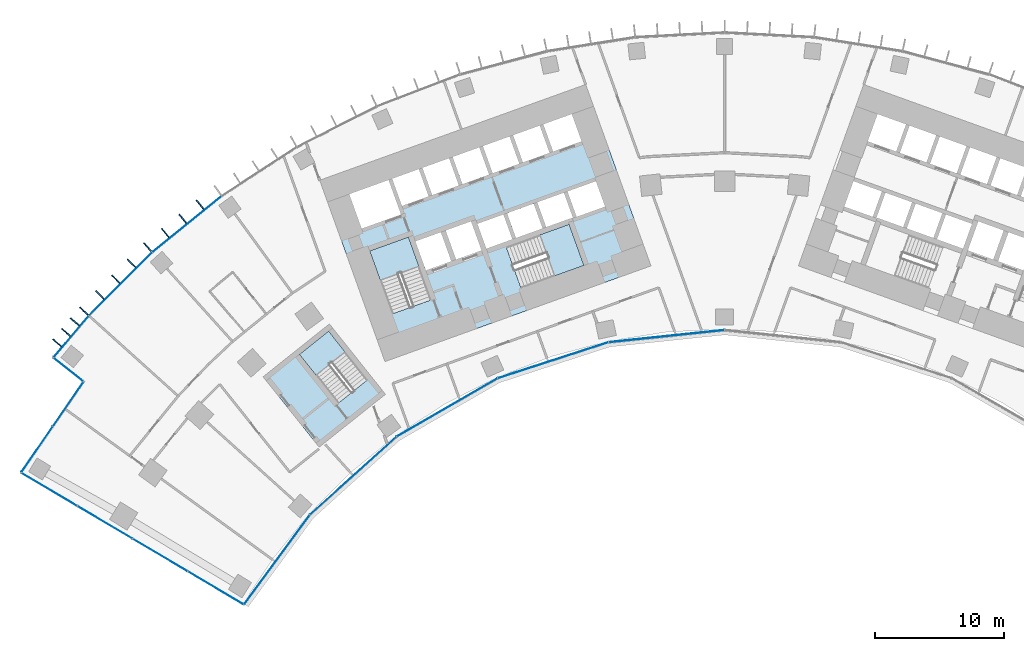
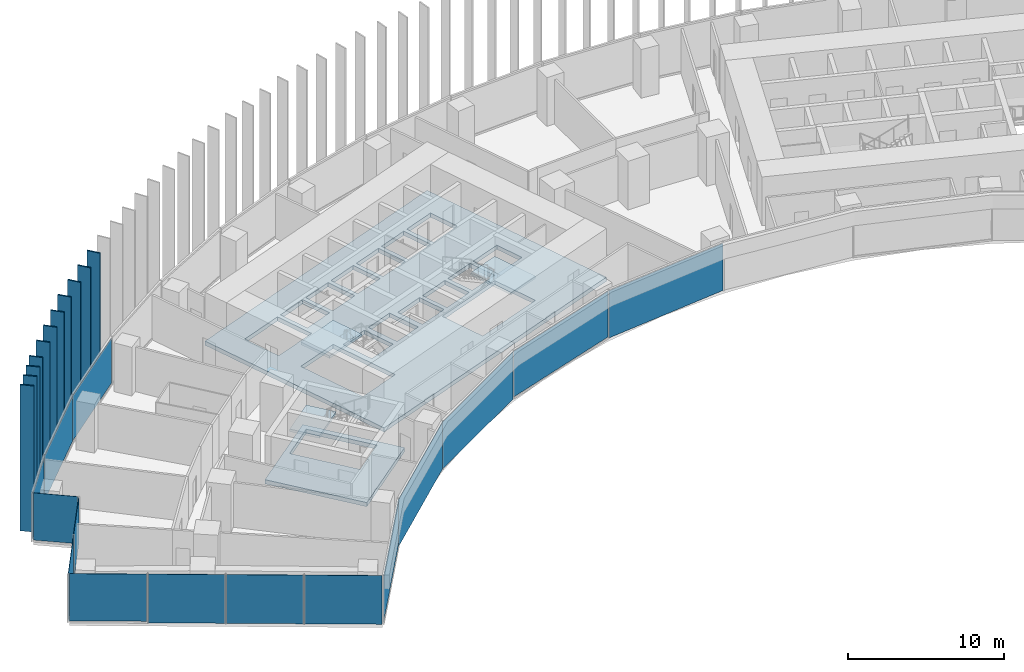
# One storey, part 14 of 24: 26 plates, 5 slabs, 8 elements without a shape of their own.
"""IFC4 building model written with IfcOpenShell, lengths in metres."""

from ifc_helpers import new_model, si_unit, direction, frame, origin, origin_2d, place, context, subcontext, project, spatial, polyline, rectangle, outline, extrude, material, layer, layer_set, type_object, element, aggregate, save


model = new_model("IFC4")

# Units and contexts
model_context = context("Model", 3, precision=1e-05, world=origin(), true_north=direction((0.0, 1.0)))
body_context = subcontext(model_context, "Body", "Model", "MODEL_VIEW")
ifc_project = project(units=[si_unit("LENGTHUNIT", "METRE"), si_unit("AREAUNIT", "SQUARE_METRE"), si_unit("VOLUMEUNIT", "CUBIC_METRE"), si_unit("PLANEANGLEUNIT", "RADIAN"), si_unit("MASSUNIT", "GRAM", prefix="KILO")], contexts=[model_context])

# Site, building, storey
site_placement = place(None, origin())
site = spatial("IfcSite", under=ifc_project, at=site_placement, CompositionType="ELEMENT")
building_placement = place(site_placement, origin())
building = spatial("IfcBuilding", under=site, at=building_placement, Name="Stone Belt Terrace Tower", CompositionType="ELEMENT")
storey_placement = place(building_placement, frame((0.0, 0.0, 64.199951171875)))
storey = spatial("IfcBuildingStorey", under=building, at=storey_placement, Name="L15", CompositionType="ELEMENT", Elevation=64.199951171875)

# Curtain wall, plates
ifc_material_1 = material(Name="Aluminium 6063-T6 anodised frame", Category="aluminium")
ifc_layer_1 = layer(ifc_material_1, 0.14990234375)
ifc_layer_set_1 = layer_set([ifc_layer_1], Name="CW-A unitised convex-face curtain wall")
curtain_wall_type_1 = type_object("IfcCurtainWallType", Name="CW-A unitised convex-face curtain wall", PredefinedType="NOTDEFINED", material=ifc_layer_set_1)
curtain_wall_1_placement = place(storey_placement, origin())
curtain_wall_1 = element("IfcCurtainWall", 1, at=curtain_wall_1_placement, inside=storey, type_object=curtain_wall_type_1, Name="CW-A convex face L15", PredefinedType="NOTDEFINED")
ifc_material_2 = material(Name="Clear double glazed unit")
ifc_layer_2 = layer(ifc_material_2, 0.031982421875)
ifc_layer_set_2 = layer_set([ifc_layer_2], Name="CW-A glass panel 32")
plate_type_1 = type_object("IfcPlateType", Name="CW-A glass panel 32", PredefinedType="CURTAIN_PANEL", material=ifc_layer_set_2)
plate_1_placement = place(storey_placement, frame((-41.839599609375, 51.667724609375, 0.14013671875), z_axis=(0.0, 0.0, 1.0), x_axis=(-0.777145961457, -0.62932039105, 0.0)))
plate_1 = element("IfcPlate", 2, at=plate_1_placement, type_object=plate_type_1, Name="CW-A panel 15.1", PredefinedType="CURTAIN_PANEL", context=body_context, shape_type="SweptSolid", body=[
    extrude(rectangle(XDim=6.90087890625, YDim=0.031982421875, at=origin_2d()), origin(), (0.0, 0.0, 1.0), 3.52001953125),
])
plate_2_placement = place(storey_placement, frame((-47.01123046875, 47.01123046875, 0.14013671875), z_axis=(0.0, 0.0, 1.0), x_axis=(-0.707106781187, -0.707106781187, 0.0)))
plate_2 = element("IfcPlate", 3, at=plate_2_placement, type_object=plate_type_1, Name="CW-A panel 16.1", PredefinedType="CURTAIN_PANEL", context=body_context, shape_type="SweptSolid", body=[
    extrude(rectangle(XDim=6.90087890625, YDim=0.031982421875, at=origin_2d()), origin(), (0.0, 0.0, 1.0), 3.52001953125),
])
plate_3_placement = place(storey_placement, frame((-50.84423828125, 42.92626953125, 0.14013671875), z_axis=(0.0, 0.0, 1.0), x_axis=(-0.645291395384, -0.763936525533, 0.0)))
plate_3 = element("IfcPlate", 4, at=plate_3_placement, type_object=plate_type_1, Name="CW-A panel 17.1", PredefinedType="CURTAIN_PANEL", context=body_context, shape_type="SweptSolid", body=[
    extrude(rectangle(XDim=4.17919921875, YDim=0.031982421875, at=origin_2d()), origin(), (0.0, 0.0, 1.0), 3.52001953125),
])
aggregate(curtain_wall_1, [plate_1, plate_2, plate_3])

ifc_layer_3 = layer(ifc_material_1, 0.14990234375)
ifc_layer_set_3 = layer_set([ifc_layer_3], Name="CW-B unitised concave-face curtain wall")
curtain_wall_type_2 = type_object("IfcCurtainWallType", Name="CW-B unitised concave-face curtain wall", PredefinedType="NOTDEFINED", material=ifc_layer_set_3)
curtain_wall_2_placement = place(storey_placement, origin())
curtain_wall_2 = element("IfcCurtainWall", 5, at=curtain_wall_2_placement, inside=storey, type_object=curtain_wall_type_2, Name="CW-B concave face L15", PredefinedType="NOTDEFINED")
ifc_layer_4 = layer(ifc_material_2, 0.030029296875)
ifc_layer_set_4 = layer_set([ifc_layer_4], Name="CW-B glass panel 30")
plate_type_2 = type_object("IfcPlateType", Name="CW-B glass panel 30", PredefinedType="CURTAIN_PANEL", material=ifc_layer_set_4)
plate_4_placement = place(storey_placement, frame((-34.831787109375, 25.57177734375, 0.1201171875), z_axis=(0.0, 0.0, 1.0), x_axis=(0.592159017675, 0.805821132626, 0.0)))
plate_4 = element("IfcPlate", 6, at=plate_4_placement, type_object=plate_type_2, Name="CW-B panel 1.1", PredefinedType="CURTAIN_PANEL", context=body_context, shape_type="SweptSolid", body=[
    extrude(rectangle(XDim=8.583984375, YDim=0.030029296875, at=origin_2d()), origin(), (0.0, 0.0, 1.0), 3.56005859375),
])
plate_5_placement = place(storey_placement, frame((-28.897705078125, 32.09375, 0.0), z_axis=(0.0, 0.0, 1.0), x_axis=(0.743144825477, 0.669130606359, 0.0)))
plate_5 = element("IfcPlate", 7, at=plate_5_placement, type_object=plate_type_2, Name="CW-B panel 2.1", PredefinedType="CURTAIN_PANEL", context=body_context, shape_type="SweptSolid", body=[
    extrude(rectangle(XDim=9.01318359375, YDim=0.030029296875, at=origin_2d()), origin(), (0.0, 0.0, 1.0), 3.679931640625),
])
plate_6_placement = place(storey_placement, frame((-21.59326171875, 37.40087890625, 0.0), z_axis=(0.0, 0.0, 1.0), x_axis=(0.866025403784, 0.5, 0.0)))
plate_6 = element("IfcPlate", 8, at=plate_6_placement, type_object=plate_type_2, Name="CW-B panel 3.1", PredefinedType="CURTAIN_PANEL", context=body_context, shape_type="SweptSolid", body=[
    extrude(rectangle(XDim=9.0126953125, YDim=0.030029296875, at=origin_2d()), origin(), (0.0, 0.0, 1.0), 3.679931640625),
])
plate_7_placement = place(storey_placement, frame((-13.345458984375, 41.072998046875, 0.1201171875), z_axis=(0.0, 0.0, 1.0), x_axis=(0.951056516295, 0.309016994375, 0.0)))
plate_7 = element("IfcPlate", 9, at=plate_7_placement, type_object=plate_type_2, Name="CW-B panel 4.1", PredefinedType="CURTAIN_PANEL", context=body_context, shape_type="SweptSolid", body=[
    extrude(rectangle(XDim=9.0126953125, YDim=0.030029296875, at=origin_2d()), origin(), (0.0, 0.0, 1.0), 3.56005859375),
])
plate_8_placement = place(storey_placement, frame((-4.51416015625, 42.9501953125, 0.0), z_axis=(0.0, 0.0, 1.0), x_axis=(0.994521895368, 0.104528463268, 0.0)))
plate_8 = element("IfcPlate", 10, at=plate_8_placement, type_object=plate_type_2, Name="CW-B panel 5.1", PredefinedType="CURTAIN_PANEL", context=body_context, shape_type="SweptSolid", body=[
    extrude(rectangle(XDim=9.0126953125, YDim=0.030029296875, at=origin_2d()), origin(), (0.0, 0.0, 1.0), 3.679931640625),
])
aggregate(curtain_wall_2, [plate_4, plate_5, plate_6, plate_7, plate_8])

# Curtain wall, plate
ifc_layer_5 = layer(ifc_material_1, 0.14990234375)
ifc_layer_set_5 = layer_set([ifc_layer_5], Name="CW-C stick curtain wall, horn ends and notches")
curtain_wall_type_3 = type_object("IfcCurtainWallType", Name="CW-C stick curtain wall, horn ends and notches", PredefinedType="NOTDEFINED", material=ifc_layer_set_5)
curtain_wall_3_placement = place(storey_placement, origin())
curtain_wall_3 = element("IfcCurtainWall", 11, at=curtain_wall_3_placement, inside=storey, type_object=curtain_wall_type_3, Name="CW-C notch face L15", PredefinedType="NOTDEFINED")
ifc_layer_6 = layer(ifc_material_2, 0.028076171875)
ifc_layer_set_6 = layer_set([ifc_layer_6], Name="CW-C glass panel 28")
plate_type_3 = type_object("IfcPlateType", Name="CW-C glass panel 28", PredefinedType="CURTAIN_PANEL", material=ifc_layer_set_6)
plate_9_placement = place(storey_placement, frame((-51.061279296875, 40.3388671875, 0.1201171875), z_axis=(0.0, 0.0, 1.0), x_axis=(0.783963828584, -0.620806504051, 0.0)))
plate_9 = element("IfcPlate", 12, at=plate_9_placement, type_object=plate_type_3, Name="CW-C panel 1.1", PredefinedType="CURTAIN_PANEL", context=body_context, shape_type="SweptSolid", body=[
    extrude(rectangle(XDim=2.859375, YDim=0.028076171875, at=origin_2d()), origin(), (0.0, 0.0, 1.0), 3.679931640625),
])
aggregate(curtain_wall_3, [plate_9])

# Curtain wall, plates
curtain_wall_4_placement = place(storey_placement, origin())
curtain_wall_4 = element("IfcCurtainWall", 13, at=curtain_wall_4_placement, inside=storey, type_object=curtain_wall_type_3, Name="CW-C notch face L15", PredefinedType="NOTDEFINED")
plate_10_placement = place(storey_placement, frame((-51.091552734375, 37.647705078125, 0.1201171875), z_axis=(0.0, 0.0, 1.0), x_axis=(-0.566375967567, -0.824146991357, 0.0)))
plate_10 = element("IfcPlate", 14, at=plate_10_placement, type_object=plate_type_3, Name="CW-C panel 1.1", PredefinedType="CURTAIN_PANEL", context=body_context, shape_type="SweptSolid", body=[
    extrude(rectangle(XDim=4.12060546875, YDim=0.028076171875, at=origin_2d()), origin(), (0.0, 0.0, 1.0), 3.679931640625),
])
plate_11_placement = place(storey_placement, frame((-53.501220703125, 34.141357421875, 0.0), z_axis=(0.0, 0.0, 1.0), x_axis=(-0.566375967567, -0.824146991357, 0.0)))
plate_11 = element("IfcPlate", 15, at=plate_11_placement, type_object=plate_type_3, Name="CW-C panel 2.1", PredefinedType="CURTAIN_PANEL", context=body_context, shape_type="SweptSolid", body=[
    extrude(rectangle(XDim=4.268798828125, YDim=0.028076171875, at=origin_2d()), origin(), (0.0, 0.0, 1.0), 3.800048828125),
])
aggregate(curtain_wall_4, [plate_10, plate_11])

curtain_wall_5_placement = place(storey_placement, origin())
curtain_wall_5 = element("IfcCurtainWall", 16, at=curtain_wall_5_placement, inside=storey, type_object=curtain_wall_type_3, Name="CW-C end face L15", PredefinedType="NOTDEFINED")
plate_12_placement = place(storey_placement, frame((-52.54736328125, 31.014892578125, 0.1201171875), z_axis=(0.0, 0.0, 1.0), x_axis=(0.860557728521, -0.509352918793, 0.0)))
plate_12 = element("IfcPlate", 17, at=plate_12_placement, type_object=plate_type_3, Name="CW-C panel 1.1", PredefinedType="CURTAIN_PANEL", context=body_context, shape_type="SweptSolid", body=[
    extrude(rectangle(XDim=4.974853515625, YDim=0.028076171875, at=origin_2d()), origin(), (0.0, 0.0, 1.0), 3.679931640625),
])
plate_13_placement = place(storey_placement, frame((-48.2294921875, 28.459228515625, 0.0), z_axis=(0.0, 0.0, 1.0), x_axis=(0.860557728521, -0.509352918793, 0.0)))
plate_13 = element("IfcPlate", 18, at=plate_13_placement, type_object=plate_type_3, Name="CW-C panel 2.1", PredefinedType="CURTAIN_PANEL", context=body_context, shape_type="SweptSolid", body=[
    extrude(rectangle(XDim=4.93994140625, YDim=0.028076171875, at=origin_2d()), origin(), (0.0, 0.0, 1.0), 3.800048828125),
])
plate_14_placement = place(storey_placement, frame((-43.9267578125, 25.912353515625, 0.0), z_axis=(0.0, 0.0, 1.0), x_axis=(0.860557728521, -0.509352918793, 0.0)))
plate_14 = element("IfcPlate", 19, at=plate_14_placement, type_object=plate_type_3, Name="CW-C panel 3.1", PredefinedType="CURTAIN_PANEL", context=body_context, shape_type="SweptSolid", body=[
    extrude(rectangle(XDim=4.93994140625, YDim=0.028076171875, at=origin_2d()), origin(), (0.0, 0.0, 1.0), 3.800048828125),
])
plate_15_placement = place(storey_placement, frame((-39.613037109375, 23.359130859375, 0.0), z_axis=(0.0, 0.0, 1.0), x_axis=(0.860557728521, -0.509352918793, 0.0)))
plate_15 = element("IfcPlate", 20, at=plate_15_placement, type_object=plate_type_3, Name="CW-C panel 4.1", PredefinedType="CURTAIN_PANEL", context=body_context, shape_type="SweptSolid", body=[
    extrude(rectangle(XDim=4.96533203125, YDim=0.028076171875, at=origin_2d()), origin(), (0.0, 0.0, 1.0), 3.800048828125),
])
aggregate(curtain_wall_5, [plate_12, plate_13, plate_14, plate_15])

# Slabs
ifc_material_3 = material(Name="Concrete B40", Category="concrete")
ifc_layer_7 = layer(ifc_material_3, 0.320068359375)
ifc_layer_set_7 = layer_set([ifc_layer_7], Name="Core floor slab 320")
slab_type_1 = type_object("IfcSlabType", Name="Core floor slab 320", PredefinedType="FLOOR", material=ifc_layer_set_7)
slab_1_placement = place(storey_placement, frame((0.0, 0.0, -0.320068359375)))
element("IfcSlab", 21, at=slab_1_placement, inside=storey, type_object=slab_type_1, Name="Core A floor L15", PredefinedType="FLOOR", context=body_context, shape_type="SweptSolid", body=[
    extrude(outline(polyline([(-26.43505859375, 40.968994140625), (-5.735107421875, 48.4189453125), (-10.81396484375, 62.531982421875), (-31.513916015625, 55.0830078125), (-26.43505859375, 40.968994140625)]), holes=[polyline([(-24.60791015625, 50.659912109375), (-22.847900390625, 45.76806640625), (-25.85888671875, 44.68408203125), (-27.618896484375, 49.575927734375), (-24.60791015625, 50.659912109375)]), polyline([(-21.27392578125, 48.778076171875), (-23.25, 48.06689453125), (-24.06298828125, 50.324951171875), (-22.0869140625, 51.035888671875), (-21.27392578125, 48.778076171875)]), polyline([(-18.922119140625, 49.6240234375), (-20.89794921875, 48.9130859375), (-21.7109375, 51.1708984375), (-19.735107421875, 51.883056640625), (-18.922119140625, 49.6240234375)]), polyline([(-19.239990234375, 51.68896484375), (-17.217041015625, 52.4169921875), (-16.52294921875, 50.488037109375), (-18.5458984375, 49.760009765625), (-19.239990234375, 51.68896484375)]), polyline([(-29.2109375, 53.9990234375), (-26.153076171875, 55.09912109375), (-25.18798828125, 52.41796875), (-28.24609375, 51.31689453125), (-29.2109375, 53.9990234375)]), polyline([(-23.801025390625, 55.946044921875), (-23.0390625, 53.8291015625), (-25.10888671875, 53.083984375), (-25.87109375, 55.200927734375), (-23.801025390625, 55.946044921875)]), polyline([(-21.447998046875, 56.7919921875), (-20.68603515625, 54.675048828125), (-22.756103515625, 53.929931640625), (-23.51806640625, 56.047119140625), (-21.447998046875, 56.7919921875)]), polyline([(-19.095947265625, 57.638916015625), (-18.333984375, 55.52197265625), (-20.404052734375, 54.777099609375), (-21.166015625, 56.89404296875), (-19.095947265625, 57.638916015625)]), polyline([(-15.846923828125, 46.69189453125), (-16.998046875, 49.89208984375), (-12.10595703125, 51.652099609375), (-10.955078125, 48.452880859375), (-15.846923828125, 46.69189453125)]), polyline([(-16.239990234375, 50.589111328125), (-16.93408203125, 52.51806640625), (-14.864013671875, 53.262939453125), (-14.169921875, 51.333984375), (-16.239990234375, 50.589111328125)]), polyline([(-11.801025390625, 52.134033203125), (-11.847900390625, 52.116943359375), (-11.864990234375, 52.1640625), (-13.887939453125, 51.43603515625), (-14.58203125, 53.364990234375), (-12.511962890625, 54.110107421875), (-11.801025390625, 52.134033203125)]), polyline([(-9.30810546875, 53.031005859375), (-11.51904296875, 52.235107421875), (-12.22998046875, 54.2109375), (-10.01904296875, 55.007080078125), (-9.30810546875, 53.031005859375)]), polyline([(-16.743896484375, 58.485107421875), (-15.98193359375, 56.367919921875), (-18.052001953125, 55.623046875), (-18.81396484375, 57.739990234375), (-16.743896484375, 58.485107421875)]), polyline([(-14.39111328125, 59.33203125), (-13.6298828125, 57.215087890625), (-15.699951171875, 56.469970703125), (-16.4609375, 58.5869140625), (-14.39111328125, 59.33203125)]), polyline([(-11.89794921875, 60.22900390625), (-11.135986328125, 58.112060546875), (-13.346923828125, 57.31591796875), (-14.10888671875, 59.43408203125), (-11.89794921875, 60.22900390625)])]), origin(), (0.0, 0.0, 1.0), 0.320068359375),
])
slab_2_placement = place(storey_placement, frame((0.0, 0.0, -0.320068359375)))
element("IfcSlab", 22, at=slab_2_placement, inside=storey, type_object=slab_type_1, Name="Exit stair ST3A floor L15", PredefinedType="FLOOR", context=body_context, shape_type="SweptSolid", body=[
    extrude(outline(polyline([(-26.39404296875, 38.425048828125), (-30.756103515625, 43.89990234375), (-35.91796875, 39.787109375), (-31.555908203125, 34.31298828125), (-26.39404296875, 38.425048828125)]), holes=[polyline([(-27.798095703125, 39.544921875), (-30.06591796875, 37.738037109375), (-33.087890625, 41.531005859375), (-30.820068359375, 43.337890625), (-27.798095703125, 39.544921875)])]), origin(), (0.0, 0.0, 1.0), 0.320068359375),
])

# Stair, slab
stair_type = type_object("IfcStairType", Name="Exit stair 1500", PredefinedType="HALF_TURN_STAIR", material=ifc_material_3)
stair_1_placement = place(storey_placement, origin())
stair_1 = element("IfcStair", 23, at=stair_1_placement, inside=storey, type_object=stair_type, Name="L15 Exit stair 1 core A", PredefinedType="HALF_TURN_STAIR")
ifc_layer_8 = layer(ifc_material_3, 0.199951171875)
ifc_layer_set_8 = layer_set([ifc_layer_8], Name="Stair landing 200")
slab_type_2 = type_object("IfcSlabType", Name="Stair landing 200", PredefinedType="LANDING", material=ifc_layer_set_8)
slab_3_placement = place(storey_placement, frame((0.0, 0.0, 1.699951171875)))
slab_3 = element("IfcSlab", 24, at=slab_3_placement, type_object=slab_type_2, Name="ST1A landing 1", PredefinedType="LANDING", context=body_context, shape_type="SweptSolid", body=[
    extrude(outline(polyline([(-23.79541015625, 48.40087890625), (-24.6083984375, 50.659912109375), (-27.619384765625, 49.576171875), (-26.806396484375, 47.3173828125), (-23.79541015625, 48.40087890625)])), origin(), (0.0, 0.0, 1.0), 0.2001953125),
])
aggregate(stair_1, [slab_3])

stair_2_placement = place(storey_placement, origin())
stair_2 = element("IfcStair", 25, at=stair_2_placement, inside=storey, type_object=stair_type, Name="L15 Exit stair 2 core A", PredefinedType="HALF_TURN_STAIR")
slab_4_placement = place(storey_placement, frame((0.0, 0.0, 1.699951171875)))
slab_4 = element("IfcSlab", 26, at=slab_4_placement, type_object=slab_type_2, Name="ST2A landing 1", PredefinedType="LANDING", context=body_context, shape_type="SweptSolid", body=[
    extrude(outline(polyline([(-13.213623046875, 47.64013671875), (-10.95458984375, 48.453125), (-12.10595703125, 51.652099609375), (-14.36474609375, 50.839111328125), (-13.213623046875, 47.64013671875)])), origin(), (0.0, 0.0, 1.0), 0.2001953125),
])
aggregate(stair_2, [slab_4])

stair_3_placement = place(storey_placement, origin())
stair_3 = element("IfcStair", 27, at=stair_3_placement, inside=storey, type_object=stair_type, Name="L15 Exit stair 3A", PredefinedType="HALF_TURN_STAIR")
slab_5_placement = place(storey_placement, frame((0.0, 0.0, 1.699951171875)))
slab_5 = element("IfcSlab", 28, at=slab_5_placement, type_object=slab_type_2, Name="ST3A landing 1", PredefinedType="LANDING", context=body_context, shape_type="SweptSolid", body=[
    extrude(outline(polyline([(-29.541748046875, 41.73388671875), (-30.819580078125, 43.337890625), (-33.087646484375, 41.53076171875), (-31.809814453125, 39.9267578125), (-29.541748046875, 41.73388671875)])), origin(), (0.0, 0.0, 1.0), 0.2001953125),
])
aggregate(stair_3, [slab_5])

# Plates
ifc_material_4 = material(Name="Terracotta coloured glazed ceramic", Category="masonry")
ifc_layer_9 = layer(ifc_material_4, 0.10009765625)
ifc_layer_set_9 = layer_set([ifc_layer_9], Name="Terracotta fin 100 x 900")
plate_type_4 = type_object("IfcPlateType", Name="Terracotta fin 100 x 900", PredefinedType="SHEET", material=ifc_layer_set_9)
for number, where, z_axis, x_axis, name in (
    (29, (-40.816162109375, 53.172119140625, 0.0), (0.0, 0.0, 1.0), (-0.62932039105, 0.777145961457, 0.0), "FIN L15 15.2"),
    (30, (-42.170166015625, 52.07568359375, 0.0), (0.0, 0.0, 1.0), (-0.62932039105, 0.777145961457, 0.0), "FIN L15 15.3"),
    (31, (-43.52392578125, 50.979248046875, 0.0), (0.0, 0.0, 1.0), (-0.62932039105, 0.777145961457, 0.0), "FIN L15 15.4"),
    (32, (-44.898681640625, 49.864990234375, 0.0), (0.0, 0.0, 1.0), (-0.669130606359, 0.743144825477, 0.0), "FIN L15 16.1"),
    (33, (-46.150390625, 48.614501953125, 0.0), (0.0, 0.0, 1.0), (-0.707106781187, 0.707106781187, 0.0), "FIN L15 16.2"),
    (34, (-47.382080078125, 47.3828125, 0.0), (0.0, 0.0, 1.0), (-0.707106781187, 0.707106781187, 0.0), "FIN L15 16.3"),
    (35, (-48.61376953125, 46.15087890625, 0.0), (0.0, 0.0, 1.0), (-0.707106781187, 0.707106781187, 0.0), "FIN L15 16.4"),
    (36, (-49.86083984375, 44.9033203125, 0.0), (0.0, 0.0, 1.0), (-0.73617076011, 0.676795842155, 0.0), "FIN L15 17.1"),
    (37, (-50.567138671875, 44.068115234375, 0.0), (0.0, 0.0, 1.0), (-0.763936525533, 0.645291395384, 0.0), "FIN L15 17.2"),
    (38, (-51.2587890625, 43.249267578125, 0.0), (0.0, 0.0, 1.0), (-0.763936525533, 0.645291395384, 0.0), "FIN L15 17.3"),
    (39, (-51.9501953125, 42.430419921875, 0.0), (0.0, 0.0, 1.0), (-0.763936525533, 0.645291395384, 0.0), "FIN L15 17.4"),
):
    element("IfcPlate", number, at=place(storey_placement, frame(where, z_axis=z_axis, x_axis=x_axis)), inside=storey, type_object=plate_type_4, Name=name, PredefinedType="SHEET", context=body_context, shape_type="SweptSolid", body=[
        extrude(rectangle(XDim=0.89990234375, YDim=0.10009765625, at=origin_2d()), origin(), (0.0, 0.0, 1.0), 11.39990234375),
    ])

save(model, "model.ifc")
